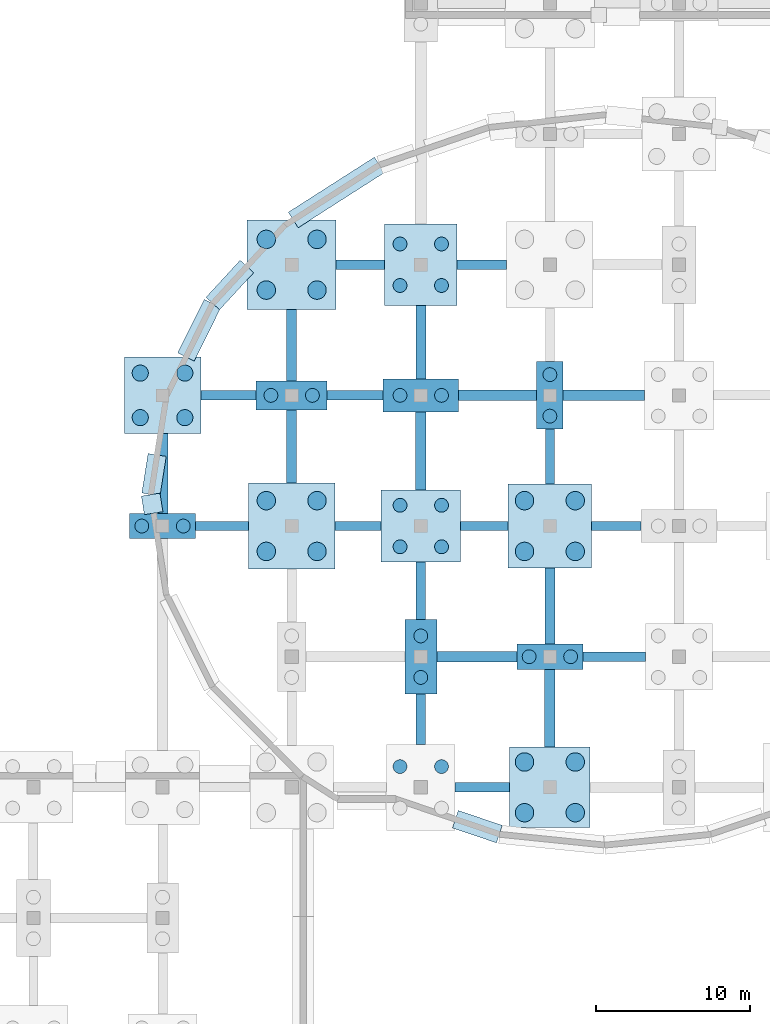
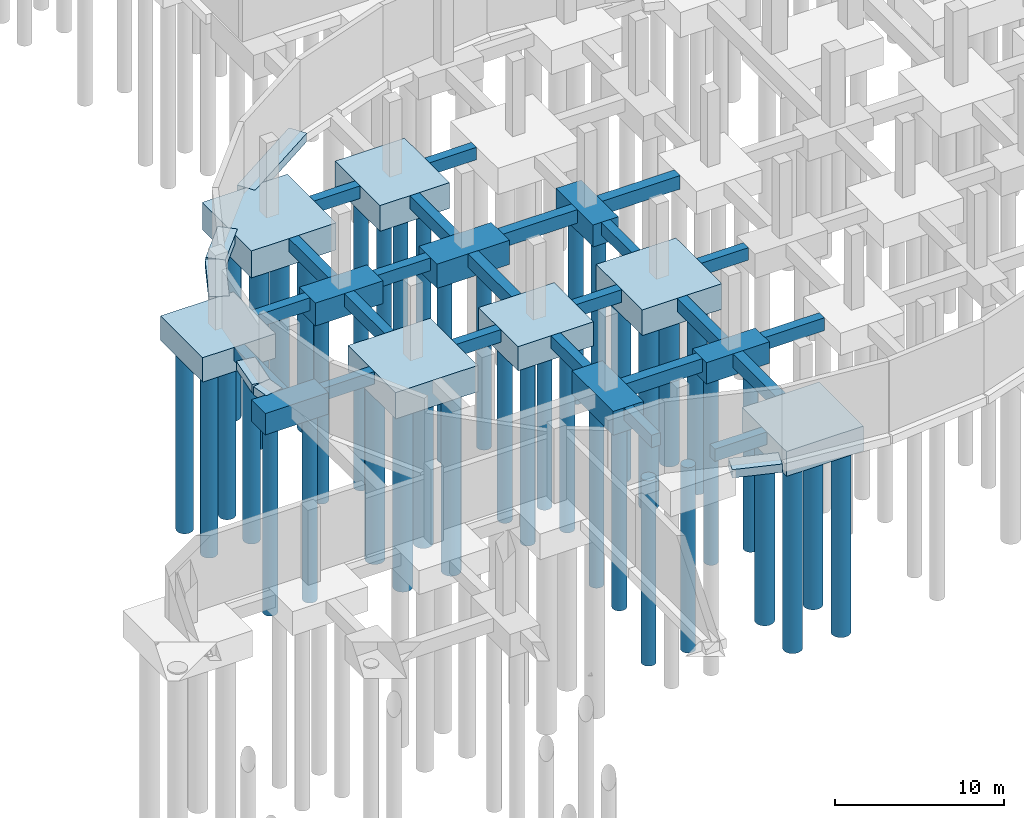
# One storey, part 2 of 34: 42 footings, 42 piles.
"""IFC4 building model written with IfcOpenShell, lengths in metres."""

from ifc_helpers import new_model, si_unit, direction, frame, origin, origin_2d, place, context, subcontext, project, spatial, rectangle, circle, extrude, material, material_profile, profile_set, type_object, element, save


model = new_model("IFC4")

# Units and contexts
model_context = context("Model", 3, precision=1e-05, world=origin(), true_north=direction((0.0, 1.0)))
body_context = subcontext(model_context, "Body", "Model", "MODEL_VIEW")
ifc_project = project(units=[si_unit("LENGTHUNIT", "METRE"), si_unit("AREAUNIT", "SQUARE_METRE"), si_unit("VOLUMEUNIT", "CUBIC_METRE"), si_unit("PLANEANGLEUNIT", "RADIAN"), si_unit("MASSUNIT", "GRAM", prefix="KILO")], contexts=[model_context])

# Site, building, storey
site_placement = place(None, origin())
site = spatial("IfcSite", under=ifc_project, at=site_placement, CompositionType="ELEMENT")
building_placement = place(site_placement, origin())
building = spatial("IfcBuilding", under=site, at=building_placement, Name="Solvento Point Concert Hall", CompositionType="ELEMENT")
storey_placement = place(building_placement, frame((0.0, 0.0, -5.39990234375)))
storey = spatial("IfcBuildingStorey", under=building, at=storey_placement, Name="B01", CompositionType="ELEMENT", Elevation=-5.39990234375)

# Piles
ifc_material_1 = material(Name="Concrete C40/50", Category="concrete")
ifc_material_profile_1 = material_profile(ifc_material_1, circle(Radius=0.52490234375, at=origin_2d()), Name="BP-1050")
ifc_profile_set_1 = profile_set([ifc_material_profile_1], Name="Concrete C40/50")
pile_type_1 = type_object("IfcPileType", Name="BoredPile_1050", PredefinedType="BORED", material=ifc_profile_set_1)
for number, where, z_axis, x_axis, name in (
    (1, (30.949951171875, 41.050048828125, -1.66015625), (0.0, 0.0, -1.0), (1.0, 0.0, 0.0), "Bored pile BoredPile_1050 #91"),
    (2, (33.85009765625, 41.050048828125, -1.66015625), (0.0, 0.0, -1.0), (1.0, 0.0, 0.0), "Bored pile BoredPile_1050 #92"),
    (3, (30.949951171875, 43.949951171875, -1.66015625), (0.0, 0.0, -1.0), (1.0, 0.0, 0.0), "Bored pile BoredPile_1050 #93"),
    (4, (33.85009765625, 43.949951171875, -1.66015625), (0.0, 0.0, -1.0), (1.0, 0.0, 0.0), "Bored pile BoredPile_1050 #94"),
):
    element("IfcPile", number, at=place(storey_placement, frame(where, z_axis=z_axis, x_axis=x_axis)), inside=storey, type_object=pile_type_1, Name=name, PredefinedType="BORED", context=body_context, shape_type="SweptSolid", body=[
        extrude(circle(Radius=0.52490234375, at=origin_2d()), origin(), (0.0, 0.0, 1.0), 13.43994140625),
    ])
ifc_material_2 = material(Name="Concrete C40/50", Category="concrete")
ifc_material_profile_2 = material_profile(ifc_material_2, circle(Radius=0.60009765625, at=origin_2d()), Name="BP-1200")
ifc_profile_set_2 = profile_set([ifc_material_profile_2], Name="Concrete C40/50")
pile_type_2 = type_object("IfcPileType", Name="BoredPile_1200", PredefinedType="BORED", material=ifc_profile_set_2)
for number, where, z_axis, x_axis, name in (
    (5, (39.14990234375, 32.35009765625, -1.800048828125), (0.0, 0.0, -1.0), (1.0, 0.0, 0.0), "Bored pile BoredPile_1200 #109"),
    (6, (42.449951171875, 32.35009765625, -1.800048828125), (0.0, 0.0, -1.0), (1.0, 0.0, 0.0), "Bored pile BoredPile_1200 #110"),
    (7, (39.14990234375, 35.64990234375, -1.800048828125), (0.0, 0.0, -1.0), (1.0, 0.0, 0.0), "Bored pile BoredPile_1200 #111"),
    (8, (42.449951171875, 35.64990234375, -1.800048828125), (0.0, 0.0, -1.0), (1.0, 0.0, 0.0), "Bored pile BoredPile_1200 #112"),
):
    element("IfcPile", number, at=place(storey_placement, frame(where, z_axis=z_axis, x_axis=x_axis)), inside=storey, type_object=pile_type_2, Name=name, PredefinedType="BORED", context=body_context, shape_type="SweptSolid", body=[
        extrude(circle(Radius=0.60009765625, at=origin_2d()), origin(), (0.0, 0.0, 1.0), 13.300048828125),
    ])
for number, where, z_axis, x_axis, name in (
    (9, (39.14990234375, 49.35009765625, -1.85009765625), (0.0, 0.0, -1.0), (1.0, 0.0, 0.0), "Bored pile BoredPile_1200 #115"),
    (10, (42.449951171875, 49.35009765625, -1.85009765625), (0.0, 0.0, -1.0), (1.0, 0.0, 0.0), "Bored pile BoredPile_1200 #116"),
    (11, (39.14990234375, 52.64990234375, -1.85009765625), (0.0, 0.0, -1.0), (1.0, 0.0, 0.0), "Bored pile BoredPile_1200 #117"),
    (12, (42.449951171875, 52.64990234375, -1.85009765625), (0.0, 0.0, -1.0), (1.0, 0.0, 0.0), "Bored pile BoredPile_1200 #118"),
):
    element("IfcPile", number, at=place(storey_placement, frame(where, z_axis=z_axis, x_axis=x_axis)), inside=storey, type_object=pile_type_2, Name=name, PredefinedType="BORED", context=body_context, shape_type="SweptSolid", body=[
        extrude(circle(Radius=0.60009765625, at=origin_2d()), origin(), (0.0, 0.0, 1.0), 13.25),
    ])
for number, where, z_axis, x_axis, name in (
    (13, (55.949951171875, 15.35009765625, -1.7001953125), (0.0, 0.0, -1.0), (1.0, 0.0, 0.0), "Bored pile BoredPile_1200 #169"),
    (14, (59.25, 15.35009765625, -1.7001953125), (0.0, 0.0, -1.0), (1.0, 0.0, 0.0), "Bored pile BoredPile_1200 #170"),
    (15, (55.949951171875, 18.64990234375, -1.7001953125), (0.0, 0.0, -1.0), (1.0, 0.0, 0.0), "Bored pile BoredPile_1200 #171"),
    (16, (59.25, 18.64990234375, -1.7001953125), (0.0, 0.0, -1.0), (1.0, 0.0, 0.0), "Bored pile BoredPile_1200 #172"),
):
    element("IfcPile", number, at=place(storey_placement, frame(where, z_axis=z_axis, x_axis=x_axis)), inside=storey, type_object=pile_type_2, Name=name, PredefinedType="BORED", context=body_context, shape_type="SweptSolid", body=[
        extrude(circle(Radius=0.60009765625, at=origin_2d()), origin(), (0.0, 0.0, 1.0), 13.39990234375),
    ])
for number, where, z_axis, x_axis, name in (
    (17, (55.949951171875, 32.35009765625, -1.75), (0.0, 0.0, -1.0), (1.0, 0.0, 0.0), "Bored pile BoredPile_1200 #175"),
    (18, (59.25, 32.35009765625, -1.75), (0.0, 0.0, -1.0), (1.0, 0.0, 0.0), "Bored pile BoredPile_1200 #176"),
    (19, (55.949951171875, 35.64990234375, -1.75), (0.0, 0.0, -1.0), (1.0, 0.0, 0.0), "Bored pile BoredPile_1200 #177"),
    (20, (59.25, 35.64990234375, -1.75), (0.0, 0.0, -1.0), (1.0, 0.0, 0.0), "Bored pile BoredPile_1200 #178"),
):
    element("IfcPile", number, at=place(storey_placement, frame(where, z_axis=z_axis, x_axis=x_axis)), inside=storey, type_object=pile_type_2, Name=name, PredefinedType="BORED", context=body_context, shape_type="SweptSolid", body=[
        extrude(circle(Radius=0.60009765625, at=origin_2d()), origin(), (0.0, 0.0, 1.0), 13.35009765625),
    ])
ifc_material_3 = material(Name="Concrete C40/50", Category="concrete")
ifc_material_profile_3 = material_profile(ifc_material_3, circle(Radius=0.449951171875, at=origin_2d()), Name="BP-900")
ifc_profile_set_3 = profile_set([ifc_material_profile_3], Name="Concrete C40/50")
pile_type_3 = type_object("IfcPileType", Name="BoredPile_900", PredefinedType="BORED", material=ifc_profile_set_3)
for number, where, z_axis, x_axis, name in (
    (21, (31.050048828125, 34.0, -1.4501953125), (0.0, 0.0, -1.0), (1.0, 0.0, 0.0), "Bored pile BoredPile_900 #89"),
    (22, (33.75, 34.0, -1.4501953125), (0.0, 0.0, -1.0), (1.0, 0.0, 0.0), "Bored pile BoredPile_900 #90"),
):
    element("IfcPile", number, at=place(storey_placement, frame(where, z_axis=z_axis, x_axis=x_axis)), inside=storey, type_object=pile_type_3, Name=name, PredefinedType="BORED", context=body_context, shape_type="SweptSolid", body=[
        extrude(circle(Radius=0.449951171875, at=origin_2d()), origin(), (0.0, 0.0, 1.0), 13.64990234375),
    ])
for number, where, z_axis, x_axis, name in (
    (23, (39.449951171875, 42.5, -1.550048828125), (0.0, 0.0, -1.0), (1.0, 0.0, 0.0), "Bored pile BoredPile_900 #113"),
    (24, (42.14990234375, 42.5, -1.550048828125), (0.0, 0.0, -1.0), (1.0, 0.0, 0.0), "Bored pile BoredPile_900 #114"),
):
    element("IfcPile", number, at=place(storey_placement, frame(where, z_axis=z_axis, x_axis=x_axis)), inside=storey, type_object=pile_type_3, Name=name, PredefinedType="BORED", context=body_context, shape_type="SweptSolid", body=[
        extrude(circle(Radius=0.449951171875, at=origin_2d()), origin(), (0.0, 0.0, 1.0), 13.550048828125),
    ])
for number, where, z_axis, x_axis, name in (
    (25, (47.85009765625, 18.35009765625, -1.72021484375), (0.0, 0.0, -1.0), (1.0, 0.0, 0.0), "Bored pile BoredPile_900 #129"),
    (26, (50.550048828125, 18.35009765625, -1.72021484375), (0.0, 0.0, -1.0), (1.0, 0.0, 0.0), "Bored pile BoredPile_900 #130"),
):
    element("IfcPile", number, at=place(storey_placement, frame(where, z_axis=z_axis, x_axis=x_axis)), inside=storey, type_object=pile_type_3, Name=name, PredefinedType="BORED", context=body_context, shape_type="SweptSolid", body=[
        extrude(circle(Radius=0.449951171875, at=origin_2d()), origin(), (0.0, 0.0, 1.0), 13.3798828125),
    ])
for number, where, z_axis, x_axis, name in (
    (27, (49.199951171875, 24.14990234375, -1.6201171875), (0.0, 0.0, -1.0), (1.0, 0.0, 0.0), "Bored pile BoredPile_900 #131"),
    (28, (49.199951171875, 26.85009765625, -1.6201171875), (0.0, 0.0, -1.0), (1.0, 0.0, 0.0), "Bored pile BoredPile_900 #132"),
):
    element("IfcPile", number, at=place(storey_placement, frame(where, z_axis=z_axis, x_axis=x_axis)), inside=storey, type_object=pile_type_3, Name=name, PredefinedType="BORED", context=body_context, shape_type="SweptSolid", body=[
        extrude(circle(Radius=0.449951171875, at=origin_2d()), origin(), (0.0, 0.0, 1.0), 13.47998046875),
    ])
for number, where, z_axis, x_axis, name in (
    (29, (47.85009765625, 32.64990234375, -1.64013671875), (0.0, 0.0, -1.0), (1.0, 0.0, 0.0), "Bored pile BoredPile_900 #133"),
    (30, (50.550048828125, 32.64990234375, -1.64013671875), (0.0, 0.0, -1.0), (1.0, 0.0, 0.0), "Bored pile BoredPile_900 #134"),
    (31, (47.85009765625, 35.35009765625, -1.64013671875), (0.0, 0.0, -1.0), (1.0, 0.0, 0.0), "Bored pile BoredPile_900 #135"),
    (32, (50.550048828125, 35.35009765625, -1.64013671875), (0.0, 0.0, -1.0), (1.0, 0.0, 0.0), "Bored pile BoredPile_900 #136"),
):
    element("IfcPile", number, at=place(storey_placement, frame(where, z_axis=z_axis, x_axis=x_axis)), inside=storey, type_object=pile_type_3, Name=name, PredefinedType="BORED", context=body_context, shape_type="SweptSolid", body=[
        extrude(circle(Radius=0.449951171875, at=origin_2d()), origin(), (0.0, 0.0, 1.0), 13.4599609375),
    ])
for number, where, z_axis, x_axis, name in (
    (33, (47.85009765625, 42.5, -1.650146484375), (0.0, 0.0, -1.0), (1.0, 0.0, 0.0), "Bored pile BoredPile_900 #137"),
    (34, (50.550048828125, 42.5, -1.650146484375), (0.0, 0.0, -1.0), (1.0, 0.0, 0.0), "Bored pile BoredPile_900 #138"),
):
    element("IfcPile", number, at=place(storey_placement, frame(where, z_axis=z_axis, x_axis=x_axis)), inside=storey, type_object=pile_type_3, Name=name, PredefinedType="BORED", context=body_context, shape_type="SweptSolid", body=[
        extrude(circle(Radius=0.449951171875, at=origin_2d()), origin(), (0.0, 0.0, 1.0), 13.449951171875),
    ])
for number, where, z_axis, x_axis, name in (
    (35, (47.85009765625, 49.64990234375, -1.760009765625), (0.0, 0.0, -1.0), (1.0, 0.0, 0.0), "Bored pile BoredPile_900 #139"),
    (36, (50.550048828125, 49.64990234375, -1.760009765625), (0.0, 0.0, -1.0), (1.0, 0.0, 0.0), "Bored pile BoredPile_900 #140"),
    (37, (47.85009765625, 52.35009765625, -1.760009765625), (0.0, 0.0, -1.0), (1.0, 0.0, 0.0), "Bored pile BoredPile_900 #141"),
    (38, (50.550048828125, 52.35009765625, -1.760009765625), (0.0, 0.0, -1.0), (1.0, 0.0, 0.0), "Bored pile BoredPile_900 #142"),
):
    element("IfcPile", number, at=place(storey_placement, frame(where, z_axis=z_axis, x_axis=x_axis)), inside=storey, type_object=pile_type_3, Name=name, PredefinedType="BORED", context=body_context, shape_type="SweptSolid", body=[
        extrude(circle(Radius=0.449951171875, at=origin_2d()), origin(), (0.0, 0.0, 1.0), 13.340087890625),
    ])
for number, where, z_axis, x_axis, name in (
    (39, (56.25, 25.5, -1.4501953125), (0.0, 0.0, -1.0), (1.0, 0.0, 0.0), "Bored pile BoredPile_900 #173"),
    (40, (58.949951171875, 25.5, -1.4501953125), (0.0, 0.0, -1.0), (1.0, 0.0, 0.0), "Bored pile BoredPile_900 #174"),
):
    element("IfcPile", number, at=place(storey_placement, frame(where, z_axis=z_axis, x_axis=x_axis)), inside=storey, type_object=pile_type_3, Name=name, PredefinedType="BORED", context=body_context, shape_type="SweptSolid", body=[
        extrude(circle(Radius=0.449951171875, at=origin_2d()), origin(), (0.0, 0.0, 1.0), 13.64990234375),
    ])
for number, where, z_axis, x_axis, name in (
    (41, (57.60009765625, 41.14990234375, -1.47998046875), (0.0, 0.0, -1.0), (1.0, 0.0, 0.0), "Bored pile BoredPile_900 #179"),
    (42, (57.60009765625, 43.85009765625, -1.47998046875), (0.0, 0.0, -1.0), (1.0, 0.0, 0.0), "Bored pile BoredPile_900 #180"),
):
    element("IfcPile", number, at=place(storey_placement, frame(where, z_axis=z_axis, x_axis=x_axis)), inside=storey, type_object=pile_type_3, Name=name, PredefinedType="BORED", context=body_context, shape_type="SweptSolid", body=[
        extrude(circle(Radius=0.449951171875, at=origin_2d()), origin(), (0.0, 0.0, 1.0), 13.6201171875),
    ])

# Footings
ifc_material_4 = material(Name="Concrete C40/50", Category="concrete")
footing_type_1 = type_object("IfcFootingType", Name="PileCap_2A", PredefinedType="PILE_CAP", material=ifc_material_4)
for number, where, z_axis, x_axis, name in (
    (43, (32.39990234375, 34.0, -1.55029296875), (0.0, 0.0, 1.0), (1.0, 0.0, 0.0), "Pile cap PC-2A at G-05-E"),
    (44, (57.60009765625, 25.5, -1.55029296875), (0.0, 0.0, 1.0), (1.0, 0.0, 0.0), "Pile cap PC-2A at G-08-D"),
):
    element("IfcFooting", number, at=place(storey_placement, frame(where, z_axis=z_axis, x_axis=x_axis)), inside=storey, type_object=footing_type_1, Name=name, PredefinedType="PILE_CAP", context=body_context, shape_type="SweptSolid", body=[
        extrude(rectangle(XDim=4.300048828125, YDim=1.64990234375, at=origin_2d()), origin(), (0.0, 0.0, 1.0), 1.550048828125),
    ])
ifc_material_5 = material(Name="Concrete C40/50", Category="concrete")
footing_type_2 = type_object("IfcFootingType", Name="PileCap_2B", PredefinedType="PILE_CAP", material=ifc_material_5)
footing_1_placement = place(storey_placement, frame((57.60009765625, 42.5, -1.580078125), z_axis=(0.0, 0.0, 1.0), x_axis=(1.0, 0.0, 0.0)))
element("IfcFooting", 45, at=footing_1_placement, inside=storey, type_object=footing_type_2, Name="Pile cap PC-2B at G-08-F", PredefinedType="PILE_CAP", context=body_context, shape_type="SweptSolid", body=[
    extrude(rectangle(XDim=1.719970703125, YDim=4.3798828125, at=origin_2d()), origin(), (0.0, 0.0, 1.0), 1.580078125),
])
ifc_material_6 = material(Name="Concrete C40/50", Category="concrete")
footing_type_3 = type_object("IfcFootingType", Name="PileCap_2E", PredefinedType="PILE_CAP", material=ifc_material_6)
footing_2_placement = place(storey_placement, frame((40.800048828125, 42.5, -1.650146484375), z_axis=(0.0, 0.0, 1.0), x_axis=(1.0, 0.0, 0.0)))
element("IfcFooting", 46, at=footing_2_placement, inside=storey, type_object=footing_type_3, Name="Pile cap PC-2E at G-06-F", PredefinedType="PILE_CAP", context=body_context, shape_type="SweptSolid", body=[
    extrude(rectangle(XDim=4.6201171875, YDim=1.89990234375, at=origin_2d()), origin(), (0.0, 0.0, 1.0), 1.64990234375),
])
ifc_material_7 = material(Name="Concrete C40/50", Category="concrete")
footing_type_4 = type_object("IfcFootingType", Name="PileCap_2H", PredefinedType="PILE_CAP", material=ifc_material_7)
footing_3_placement = place(storey_placement, frame((49.199951171875, 25.5, -1.72021484375), z_axis=(0.0, 0.0, 1.0), x_axis=(1.0, 0.0, 0.0)))
element("IfcFooting", 47, at=footing_3_placement, inside=storey, type_object=footing_type_4, Name="Pile cap PC-2H at G-07-D", PredefinedType="PILE_CAP", context=body_context, shape_type="SweptSolid", body=[
    extrude(rectangle(XDim=2.080078125, YDim=4.860107421875, at=origin_2d()), origin(), (0.0, 0.0, 1.0), 1.719970703125),
])
ifc_material_8 = material(Name="Concrete C40/50", Category="concrete")
footing_type_5 = type_object("IfcFootingType", Name="PileCap_2J", PredefinedType="PILE_CAP", material=ifc_material_8)
footing_4_placement = place(storey_placement, frame((49.199951171875, 42.5, -1.75), z_axis=(0.0, 0.0, 1.0), x_axis=(1.0, 0.0, 0.0)))
element("IfcFooting", 48, at=footing_4_placement, inside=storey, type_object=footing_type_5, Name="Pile cap PC-2J at G-07-F", PredefinedType="PILE_CAP", context=body_context, shape_type="SweptSolid", body=[
    extrude(rectangle(XDim=4.93994140625, YDim=2.139892578125, at=origin_2d()), origin(), (0.0, 0.0, 1.0), 1.75),
])
ifc_material_9 = material(Name="Concrete C40/50", Category="concrete")
footing_type_6 = type_object("IfcFootingType", Name="PileCap_4D", PredefinedType="PILE_CAP", material=ifc_material_9)
footing_5_placement = place(storey_placement, frame((32.39990234375, 42.5, -1.76025390625), z_axis=(0.0, 0.0, 1.0), x_axis=(1.0, 0.0, 0.0)))
element("IfcFooting", 49, at=footing_5_placement, inside=storey, type_object=footing_type_6, Name="Pile cap PC-4D at G-05-F", PredefinedType="PILE_CAP", context=body_context, shape_type="SweptSolid", body=[
    extrude(rectangle(XDim=4.97998046875, YDim=4.97998046875, at=origin_2d()), origin(), (0.0, 0.0, 1.0), 1.760009765625),
])
ifc_material_10 = material(Name="Concrete C40/50", Category="concrete")
footing_type_7 = type_object("IfcFootingType", Name="PileCap_4E", PredefinedType="PILE_CAP", material=ifc_material_10)
footing_6_placement = place(storey_placement, frame((57.60009765625, 17.0, -1.80029296875), z_axis=(0.0, 0.0, 1.0), x_axis=(1.0, 0.0, 0.0)))
element("IfcFooting", 50, at=footing_6_placement, inside=storey, type_object=footing_type_7, Name="Pile cap PC-4E at G-08-C", PredefinedType="PILE_CAP", context=body_context, shape_type="SweptSolid", body=[
    extrude(rectangle(XDim=5.25, YDim=5.25, at=origin_2d()), origin(), (0.0, 0.0, 1.0), 1.800048828125),
])
ifc_material_11 = material(Name="Concrete C40/50", Category="concrete")
footing_type_8 = type_object("IfcFootingType", Name="PileCap_4F", PredefinedType="PILE_CAP", material=ifc_material_11)
footing_7_placement = place(storey_placement, frame((57.60009765625, 34.0, -1.85009765625), z_axis=(0.0, 0.0, 1.0), x_axis=(1.0, 0.0, 0.0)))
element("IfcFooting", 51, at=footing_7_placement, inside=storey, type_object=footing_type_8, Name="Pile cap PC-4F at G-08-E", PredefinedType="PILE_CAP", context=body_context, shape_type="SweptSolid", body=[
    extrude(rectangle(XDim=5.43994140625, YDim=5.43994140625, at=origin_2d()), origin(), (0.0, 0.0, 1.0), 1.85009765625),
])
ifc_material_12 = material(Name="Concrete C40/50", Category="concrete")
footing_type_9 = type_object("IfcFootingType", Name="PileCap_4G", PredefinedType="PILE_CAP", material=ifc_material_12)
footing_8_placement = place(storey_placement, frame((40.800048828125, 34.0, -1.900146484375), z_axis=(0.0, 0.0, 1.0), x_axis=(1.0, 0.0, 0.0)))
element("IfcFooting", 52, at=footing_8_placement, inside=storey, type_object=footing_type_9, Name="Pile cap PC-4G at G-06-E", PredefinedType="PILE_CAP", context=body_context, shape_type="SweptSolid", body=[
    extrude(rectangle(XDim=5.6201171875, YDim=5.6201171875, at=origin_2d()), origin(), (0.0, 0.0, 1.0), 1.89990234375),
])
ifc_material_13 = material(Name="Concrete C40/50", Category="concrete")
footing_type_10 = type_object("IfcFootingType", Name="PileCap_4H", PredefinedType="PILE_CAP", material=ifc_material_13)
footing_9_placement = place(storey_placement, frame((40.800048828125, 51.0, -1.9501953125), z_axis=(0.0, 0.0, 1.0), x_axis=(1.0, 0.0, 0.0)))
element("IfcFooting", 53, at=footing_9_placement, inside=storey, type_object=footing_type_10, Name="Pile cap PC-4H at G-06-G", PredefinedType="PILE_CAP", context=body_context, shape_type="SweptSolid", body=[
    extrude(rectangle(XDim=5.800048828125, YDim=5.800048828125, at=origin_2d()), origin(), (0.0, 0.0, 1.0), 1.949951171875),
])
ifc_material_14 = material(Name="Concrete C40/50", Category="concrete")
footing_type_11 = type_object("IfcFootingType", Name="PileCap_4L", PredefinedType="PILE_CAP", material=ifc_material_14)
footing_10_placement = place(storey_placement, frame((49.199951171875, 34.0, -1.740234375), z_axis=(0.0, 0.0, 1.0), x_axis=(1.0, 0.0, 0.0)))
element("IfcFooting", 54, at=footing_10_placement, inside=storey, type_object=footing_type_11, Name="Pile cap PC-4L at G-07-E", PredefinedType="PILE_CAP", context=body_context, shape_type="SweptSolid", body=[
    extrude(rectangle(XDim=5.159912109375, YDim=4.659912109375, at=origin_2d()), origin(), (0.0, 0.0, 1.0), 1.739990234375),
])
ifc_material_15 = material(Name="Concrete C40/50", Category="concrete")
footing_type_12 = type_object("IfcFootingType", Name="PileCap_4M", PredefinedType="PILE_CAP", material=ifc_material_15)
footing_11_placement = place(storey_placement, frame((49.199951171875, 51.0, -1.8603515625), z_axis=(0.0, 0.0, 1.0), x_axis=(1.0, 0.0, 0.0)))
element("IfcFooting", 55, at=footing_11_placement, inside=storey, type_object=footing_type_12, Name="Pile cap PC-4M at G-07-G", PredefinedType="PILE_CAP", context=body_context, shape_type="SweptSolid", body=[
    extrude(rectangle(XDim=4.739990234375, YDim=5.300048828125, at=origin_2d()), origin(), (0.0, 0.0, 1.0), 1.860107421875),
])
ifc_material_16 = material(Name="Concrete C40/50", Category="concrete")
footing_type_13 = type_object("IfcFootingType", Name="StripFooting_1200x600", PredefinedType="STRIP_FOOTING", material=ifc_material_16)
footing_12_placement = place(storey_placement, frame((31.72412109375, 35.439697265625, -0.60009765625), z_axis=(0.0, 0.0, 1.0), x_axis=(-0.156037968936, 0.987751057833, 0.0)))
element("IfcFooting", 56, at=footing_12_placement, inside=storey, type_object=footing_type_13, Name="Strip footing SF-01", PredefinedType="STRIP_FOOTING", context=body_context, shape_type="SweptSolid", body=[
    extrude(rectangle(XDim=1.224365234375, YDim=1.224365234375, at=origin_2d()), origin(), (0.0, 0.0, 1.0), 0.60009765625),
])
footing_13_placement = place(storey_placement, frame((31.847412109375, 37.340087890625, -0.60009765625), z_axis=(0.0, 0.0, 1.0), x_axis=(0.156037968936, 0.987751057833, 0.0)))
element("IfcFooting", 57, at=footing_13_placement, inside=storey, type_object=footing_type_13, Name="Strip footing SF-01", PredefinedType="STRIP_FOOTING", context=body_context, shape_type="SweptSolid", body=[
    extrude(rectangle(XDim=2.597900390625, YDim=1.199951171875, at=origin_2d()), origin(), (0.0, 0.0, 1.0), 0.60009765625),
])
footing_14_placement = place(storey_placement, frame((34.787109375, 46.736328125, -0.60009765625), z_axis=(0.0, 0.0, 1.0), x_axis=(0.445116614995, 0.895472612119, 0.0)))
element("IfcFooting", 58, at=footing_14_placement, inside=storey, type_object=footing_type_13, Name="Strip footing SF-01", PredefinedType="STRIP_FOOTING", context=body_context, shape_type="SweptSolid", body=[
    extrude(rectangle(XDim=3.8779296875, YDim=1.199951171875, at=origin_2d()), origin(), (0.0, 0.0, 1.0), 0.60009765625),
])
footing_15_placement = place(storey_placement, frame((36.779541015625, 49.680419921875, -0.60009765625), z_axis=(0.0, 0.0, 1.0), x_axis=(0.677366586747, 0.735645639666, 0.0)))
element("IfcFooting", 59, at=footing_15_placement, inside=storey, type_object=footing_type_13, Name="Strip footing SF-01", PredefinedType="STRIP_FOOTING", context=body_context, shape_type="SweptSolid", body=[
    extrude(rectangle(XDim=3.27880859375, YDim=1.199951171875, at=origin_2d()), origin(), (0.0, 0.0, 1.0), 0.60009765625),
])
footing_16_placement = place(storey_placement, frame((43.704833984375, 55.70166015625, -0.60009765625), z_axis=(0.0, 0.0, 1.0), x_axis=(0.842495649583, 0.538703146857, 0.0)))
element("IfcFooting", 60, at=footing_16_placement, inside=storey, type_object=footing_type_13, Name="Strip footing SF-01", PredefinedType="STRIP_FOOTING", context=body_context, shape_type="SweptSolid", body=[
    extrude(rectangle(XDim=6.651611328125, YDim=1.199951171875, at=origin_2d()), origin(), (0.0, 0.0, 1.0), 0.60009765625),
])
footing_17_placement = place(storey_placement, frame((52.8818359375, 14.441162109375, -0.60009765625), z_axis=(0.0, 0.0, 1.0), x_axis=(-0.94719684711, 0.320652666956, 0.0)))
element("IfcFooting", 61, at=footing_17_placement, inside=storey, type_object=footing_type_13, Name="Strip footing SF-01", PredefinedType="STRIP_FOOTING", context=body_context, shape_type="SweptSolid", body=[
    extrude(rectangle(XDim=3.023193359375, YDim=1.199951171875, at=origin_2d()), origin(), (0.0, 0.0, 1.0), 0.60009765625),
])
ifc_material_17 = material(Name="Concrete C40/50", Category="concrete")
footing_type_14 = type_object("IfcFootingType", Name="TieBeam_600x900", PredefinedType="FOOTING_BEAM", material=ifc_material_17)
footing_18_placement = place(storey_placement, frame((53.20751953125, 17.0, -0.900146484375), z_axis=(0.0, 0.0, 1.0), x_axis=(1.0, 0.0, 0.0)))
element("IfcFooting", 62, at=footing_18_placement, inside=storey, type_object=footing_type_14, Name="Seismic tie beam GB-01", PredefinedType="FOOTING_BEAM", context=body_context, shape_type="SweptSolid", body=[
    extrude(rectangle(XDim=3.534912109375, YDim=0.60009765625, at=origin_2d()), origin(), (0.0, 0.0, 1.0), 0.89990234375),
])
footing_19_placement = place(storey_placement, frame((36.27001953125, 34.0, -0.900146484375), z_axis=(0.0, 0.0, 1.0), x_axis=(1.0, 0.0, 0.0)))
element("IfcFooting", 63, at=footing_19_placement, inside=storey, type_object=footing_type_14, Name="Seismic tie beam GB-01", PredefinedType="FOOTING_BEAM", context=body_context, shape_type="SweptSolid", body=[
    extrude(rectangle(XDim=3.43994140625, YDim=0.60009765625, at=origin_2d()), origin(), (0.0, 0.0, 1.0), 0.89990234375),
])
footing_20_placement = place(storey_placement, frame((45.114990234375, 34.0, -0.900146484375), z_axis=(0.0, 0.0, 1.0), x_axis=(1.0, 0.0, 0.0)))
element("IfcFooting", 64, at=footing_20_placement, inside=storey, type_object=footing_type_14, Name="Seismic tie beam GB-01", PredefinedType="FOOTING_BEAM", context=body_context, shape_type="SweptSolid", body=[
    extrude(rectangle(XDim=3.010009765625, YDim=0.60009765625, at=origin_2d()), origin(), (0.0, 0.0, 1.0), 0.89990234375),
])
footing_21_placement = place(storey_placement, frame((53.330078125, 34.0, -0.900146484375), z_axis=(0.0, 0.0, 1.0), x_axis=(1.0, 0.0, 0.0)))
element("IfcFooting", 65, at=footing_21_placement, inside=storey, type_object=footing_type_14, Name="Seismic tie beam GB-01", PredefinedType="FOOTING_BEAM", context=body_context, shape_type="SweptSolid", body=[
    extrude(rectangle(XDim=3.10009765625, YDim=0.60009765625, at=origin_2d()), origin(), (0.0, 0.0, 1.0), 0.89990234375),
])
footing_22_placement = place(storey_placement, frame((61.925048828125, 34.0, -0.900146484375), z_axis=(0.0, 0.0, 1.0), x_axis=(1.0, 0.0, 0.0)))
element("IfcFooting", 66, at=footing_22_placement, inside=storey, type_object=footing_type_14, Name="Seismic tie beam GB-01", PredefinedType="FOOTING_BEAM", context=body_context, shape_type="SweptSolid", body=[
    extrude(rectangle(XDim=3.2099609375, YDim=0.60009765625, at=origin_2d()), origin(), (0.0, 0.0, 1.0), 0.89990234375),
])
footing_23_placement = place(storey_placement, frame((45.264892578125, 51.0, -0.900146484375), z_axis=(0.0, 0.0, 1.0), x_axis=(1.0, 0.0, 0.0)))
element("IfcFooting", 67, at=footing_23_placement, inside=storey, type_object=footing_type_14, Name="Seismic tie beam GB-01", PredefinedType="FOOTING_BEAM", context=body_context, shape_type="SweptSolid", body=[
    extrude(rectangle(XDim=3.1298828125, YDim=0.60009765625, at=origin_2d()), origin(), (0.0, 0.0, 1.0), 0.89990234375),
])
footing_24_placement = place(storey_placement, frame((53.179931640625, 51.0, -0.900146484375), z_axis=(0.0, 0.0, 1.0), x_axis=(1.0, 0.0, 0.0)))
element("IfcFooting", 68, at=footing_24_placement, inside=storey, type_object=footing_type_14, Name="Seismic tie beam GB-01", PredefinedType="FOOTING_BEAM", context=body_context, shape_type="SweptSolid", body=[
    extrude(rectangle(XDim=3.219970703125, YDim=0.60009765625, at=origin_2d()), origin(), (0.0, 0.0, 1.0), 0.89990234375),
])
footing_25_placement = place(storey_placement, frame((49.199951171875, 21.43505859375, -0.900146484375), z_axis=(0.0, 0.0, 1.0), x_axis=(0.0, 1.0, 0.0)))
element("IfcFooting", 69, at=footing_25_placement, inside=storey, type_object=footing_type_14, Name="Seismic tie beam GB-01", PredefinedType="FOOTING_BEAM", context=body_context, shape_type="SweptSolid", body=[
    extrude(rectangle(XDim=3.27001953125, YDim=0.60009765625, at=origin_2d()), origin(), (0.0, 0.0, 1.0), 0.89990234375),
])
footing_26_placement = place(storey_placement, frame((57.60009765625, 38.514892578125, -0.900146484375), z_axis=(0.0, 0.0, 1.0), x_axis=(0.0, 1.0, 0.0)))
element("IfcFooting", 70, at=footing_26_placement, inside=storey, type_object=footing_type_14, Name="Seismic tie beam GB-01", PredefinedType="FOOTING_BEAM", context=body_context, shape_type="SweptSolid", body=[
    extrude(rectangle(XDim=3.590087890625, YDim=0.60009765625, at=origin_2d()), origin(), (0.0, 0.0, 1.0), 0.89990234375),
])
ifc_material_18 = material(Name="Concrete C40/50", Category="concrete")
footing_type_15 = type_object("IfcFootingType", Name="TieBeam_620x920", PredefinedType="FOOTING_BEAM", material=ifc_material_18)
footing_27_placement = place(storey_placement, frame((61.78759765625, 25.5, -0.920166015625), z_axis=(0.0, 0.0, 1.0), x_axis=(1.0, 0.0, 0.0)))
element("IfcFooting", 71, at=footing_27_placement, inside=storey, type_object=footing_type_15, Name="Seismic tie beam GB-02", PredefinedType="FOOTING_BEAM", context=body_context, shape_type="SweptSolid", body=[
    extrude(rectangle(XDim=4.074951171875, YDim=0.6201171875, at=origin_2d()), origin(), (0.0, 0.0, 1.0), 0.919921875),
])
footing_28_placement = place(storey_placement, frame((36.68994140625, 42.5, -0.920166015625), z_axis=(0.0, 0.0, 1.0), x_axis=(1.0, 0.0, 0.0)))
element("IfcFooting", 72, at=footing_28_placement, inside=storey, type_object=footing_type_15, Name="Seismic tie beam GB-02", PredefinedType="FOOTING_BEAM", context=body_context, shape_type="SweptSolid", body=[
    extrude(rectangle(XDim=3.60009765625, YDim=0.6201171875, at=origin_2d()), origin(), (0.0, 0.0, 1.0), 0.919921875),
])
footing_29_placement = place(storey_placement, frame((44.919921875, 42.5, -0.920166015625), z_axis=(0.0, 0.0, 1.0), x_axis=(1.0, 0.0, 0.0)))
element("IfcFooting", 73, at=footing_29_placement, inside=storey, type_object=footing_type_15, Name="Seismic tie beam GB-02", PredefinedType="FOOTING_BEAM", context=body_context, shape_type="SweptSolid", body=[
    extrude(rectangle(XDim=3.6201171875, YDim=0.6201171875, at=origin_2d()), origin(), (0.0, 0.0, 1.0), 0.919921875),
])
footing_30_placement = place(storey_placement, frame((49.199951171875, 29.800048828125, -0.920166015625), z_axis=(0.0, 0.0, 1.0), x_axis=(0.0, 1.0, 0.0)))
element("IfcFooting", 74, at=footing_30_placement, inside=storey, type_object=footing_type_15, Name="Seismic tie beam GB-02", PredefinedType="FOOTING_BEAM", context=body_context, shape_type="SweptSolid", body=[
    extrude(rectangle(XDim=3.739990234375, YDim=0.6201171875, at=origin_2d()), origin(), (0.0, 0.0, 1.0), 0.919921875),
])
ifc_material_19 = material(Name="Concrete C40/50", Category="concrete")
footing_type_16 = type_object("IfcFootingType", Name="TieBeam_650x950", PredefinedType="FOOTING_BEAM", material=ifc_material_19)
footing_31_placement = place(storey_placement, frame((40.800048828125, 39.179931640625, -0.9501953125), z_axis=(0.0, 0.0, 1.0), x_axis=(0.0, 1.0, 0.0)))
element("IfcFooting", 75, at=footing_31_placement, inside=storey, type_object=footing_type_16, Name="Seismic tie beam GB-03", PredefinedType="FOOTING_BEAM", context=body_context, shape_type="SweptSolid", body=[
    extrude(rectangle(XDim=4.739990234375, YDim=0.64990234375, at=origin_2d()), origin(), (0.0, 0.0, 1.0), 0.949951171875),
])
footing_32_placement = place(storey_placement, frame((40.800048828125, 45.77490234375, -0.9501953125), z_axis=(0.0, 0.0, 1.0), x_axis=(0.0, 1.0, 0.0)))
element("IfcFooting", 76, at=footing_32_placement, inside=storey, type_object=footing_type_16, Name="Seismic tie beam GB-03", PredefinedType="FOOTING_BEAM", context=body_context, shape_type="SweptSolid", body=[
    extrude(rectangle(XDim=4.64990234375, YDim=0.64990234375, at=origin_2d()), origin(), (0.0, 0.0, 1.0), 0.949951171875),
])
footing_33_placement = place(storey_placement, frame((49.199951171875, 45.9599609375, -0.9501953125), z_axis=(0.0, 0.0, 1.0), x_axis=(0.0, 1.0, 0.0)))
element("IfcFooting", 77, at=footing_33_placement, inside=storey, type_object=footing_type_16, Name="Seismic tie beam GB-03", PredefinedType="FOOTING_BEAM", context=body_context, shape_type="SweptSolid", body=[
    extrude(rectangle(XDim=4.780029296875, YDim=0.64990234375, at=origin_2d()), origin(), (0.0, 0.0, 1.0), 0.949951171875),
])
footing_34_placement = place(storey_placement, frame((57.60009765625, 28.802490234375, -0.9501953125), z_axis=(0.0, 0.0, 1.0), x_axis=(0.0, 1.0, 0.0)))
element("IfcFooting", 78, at=footing_34_placement, inside=storey, type_object=footing_type_16, Name="Seismic tie beam GB-03", PredefinedType="FOOTING_BEAM", context=body_context, shape_type="SweptSolid", body=[
    extrude(rectangle(XDim=4.955078125, YDim=0.64990234375, at=origin_2d()), origin(), (0.0, 0.0, 1.0), 0.949951171875),
])
ifc_material_20 = material(Name="Concrete C40/50", Category="concrete")
footing_type_17 = type_object("IfcFootingType", Name="TieBeam_680x980", PredefinedType="FOOTING_BEAM", material=ifc_material_20)
footing_35_placement = place(storey_placement, frame((52.844970703125, 25.5, -0.97998046875), z_axis=(0.0, 0.0, 1.0), x_axis=(1.0, 0.0, 0.0)))
element("IfcFooting", 79, at=footing_35_placement, inside=storey, type_object=footing_type_17, Name="Seismic tie beam GB-04", PredefinedType="FOOTING_BEAM", context=body_context, shape_type="SweptSolid", body=[
    extrude(rectangle(XDim=5.2099609375, YDim=0.679931640625, at=origin_2d()), origin(), (0.0, 0.0, 1.0), 0.97998046875),
])
footing_36_placement = place(storey_placement, frame((54.205078125, 42.5, -0.97998046875), z_axis=(0.0, 0.0, 1.0), x_axis=(1.0, 0.0, 0.0)))
element("IfcFooting", 80, at=footing_36_placement, inside=storey, type_object=footing_type_17, Name="Seismic tie beam GB-04", PredefinedType="FOOTING_BEAM", context=body_context, shape_type="SweptSolid", body=[
    extrude(rectangle(XDim=5.070068359375, YDim=0.679931640625, at=origin_2d()), origin(), (0.0, 0.0, 1.0), 0.97998046875),
])
footing_37_placement = place(storey_placement, frame((61.10498046875, 42.5, -0.97998046875), z_axis=(0.0, 0.0, 1.0), x_axis=(1.0, 0.0, 0.0)))
element("IfcFooting", 81, at=footing_37_placement, inside=storey, type_object=footing_type_17, Name="Seismic tie beam GB-04", PredefinedType="FOOTING_BEAM", context=body_context, shape_type="SweptSolid", body=[
    extrude(rectangle(XDim=5.2900390625, YDim=0.679931640625, at=origin_2d()), origin(), (0.0, 0.0, 1.0), 0.97998046875),
])
footing_38_placement = place(storey_placement, frame((32.39990234375, 37.41748046875, -0.97998046875), z_axis=(0.0, 0.0, 1.0), x_axis=(0.0, 1.0, 0.0)))
element("IfcFooting", 82, at=footing_38_placement, inside=storey, type_object=footing_type_17, Name="Seismic tie beam GB-04", PredefinedType="FOOTING_BEAM", context=body_context, shape_type="SweptSolid", body=[
    extrude(rectangle(XDim=5.18505859375, YDim=0.679931640625, at=origin_2d()), origin(), (0.0, 0.0, 1.0), 0.97998046875),
])
footing_39_placement = place(storey_placement, frame((49.199951171875, 38.8798828125, -0.97998046875), z_axis=(0.0, 0.0, 1.0), x_axis=(0.0, 1.0, 0.0)))
element("IfcFooting", 83, at=footing_39_placement, inside=storey, type_object=footing_type_17, Name="Seismic tie beam GB-04", PredefinedType="FOOTING_BEAM", context=body_context, shape_type="SweptSolid", body=[
    extrude(rectangle(XDim=5.10009765625, YDim=0.679931640625, at=origin_2d()), origin(), (0.0, 0.0, 1.0), 0.97998046875),
])
footing_40_placement = place(storey_placement, frame((57.60009765625, 22.14990234375, -0.97998046875), z_axis=(0.0, 0.0, 1.0), x_axis=(0.0, 1.0, 0.0)))
element("IfcFooting", 84, at=footing_40_placement, inside=storey, type_object=footing_type_17, Name="Seismic tie beam GB-04", PredefinedType="FOOTING_BEAM", context=body_context, shape_type="SweptSolid", body=[
    extrude(rectangle(XDim=5.050048828125, YDim=0.679931640625, at=origin_2d()), origin(), (0.0, 0.0, 1.0), 0.97998046875),
])

save(model, "model.ifc")
